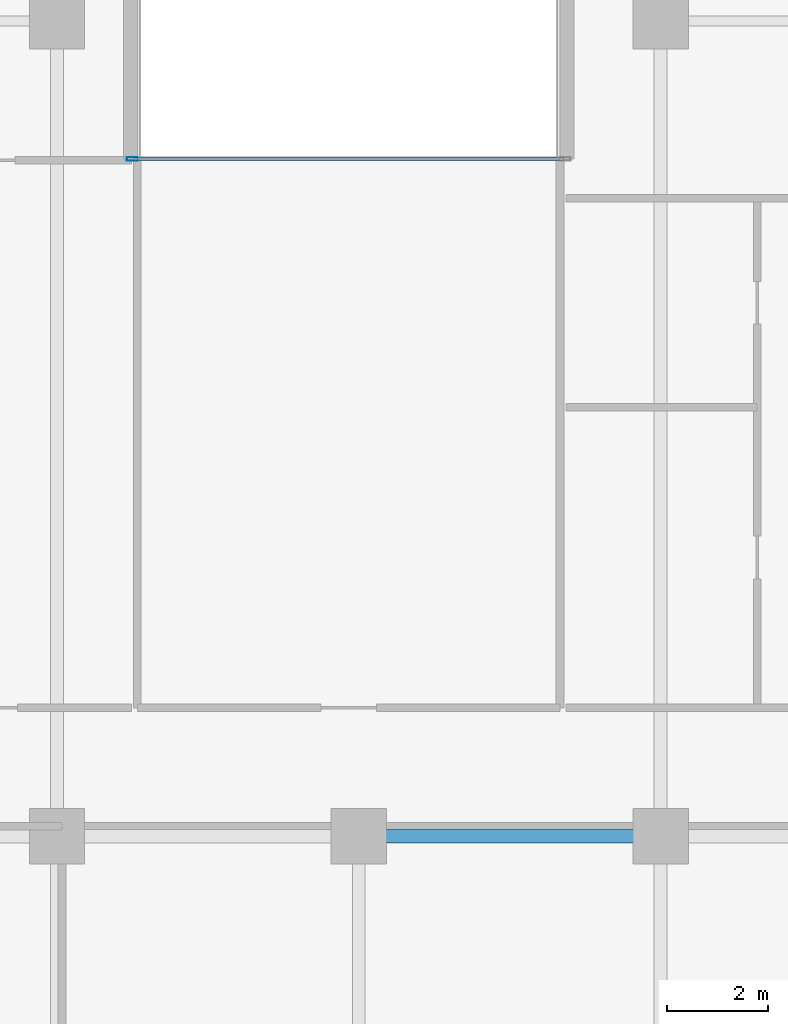
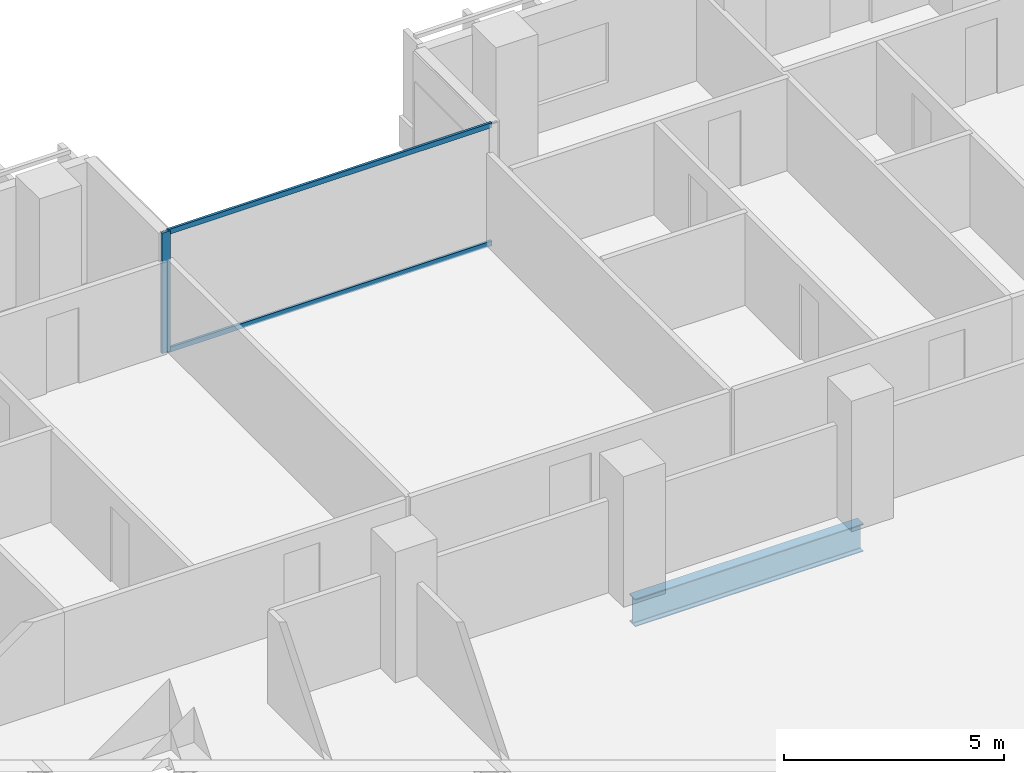
# One storey, part 6 of 25: 3 members, 1 beam, 1 element without a shape of its own.
"""IFC4 building model written with IfcOpenShell, lengths in metres."""

from ifc_helpers import new_model, si_unit, direction, frame, origin, origin_2d, place, context, subcontext, project, spatial, hollow_rectangle, i_section, extrude, material, layer, layer_set, material_profile, profile_set, type_object, element, aggregate, save


model = new_model("IFC4")

# Units and contexts
model_context = context("Model", 3, precision=1e-05, world=origin(), true_north=direction((0.0, 1.0)))
body_context = subcontext(model_context, "Body", "Model", "MODEL_VIEW")
ifc_project = project(units=[si_unit("LENGTHUNIT", "METRE"), si_unit("AREAUNIT", "SQUARE_METRE"), si_unit("VOLUMEUNIT", "CUBIC_METRE"), si_unit("PLANEANGLEUNIT", "RADIAN"), si_unit("MASSUNIT", "GRAM", prefix="KILO")], contexts=[model_context])

# Site, building, storey
site_placement = place(None, origin())
site = spatial("IfcSite", under=ifc_project, at=site_placement, CompositionType="ELEMENT")
building_placement = place(site_placement, origin())
building = spatial("IfcBuilding", under=site, at=building_placement, Name="Tanjung Sevakor Pilgrim Tower", CompositionType="ELEMENT")
storey_placement = place(building_placement, frame((0.0, 0.0, 69.6298828125)))
storey = spatial("IfcBuildingStorey", under=building, at=storey_placement, Name="L19", CompositionType="ELEMENT", Elevation=69.6298828125)

# Beam
ifc_material_1 = material(Name="Steel S355J2", Category="steel")
ifc_material_profile_1 = material_profile(ifc_material_1, i_section(OverallWidth=0.26806640625, OverallDepth=0.769775390625, WebThickness=0.015625, FlangeThickness=0.025390625, FilletRadius=0.0166015625, at=origin_2d()))
ifc_profile_set_1 = profile_set([ifc_material_profile_1], Name="Steel S355J2")
beam_type = type_object("IfcBeamType", Name="BM-B-G1-UB_762x267x197", PredefinedType="BEAM", material=ifc_profile_set_1)
beam_placement = place(storey_placement, frame((48.0, 42.60009765625, -0.604736328125), z_axis=(1.0, 0.0, 0.0), x_axis=(0.0, 1.0, 0.0)))
element("IfcBeam", 1, at=beam_placement, inside=storey, type_object=beam_type, Name="L19 Primary Floor Girder MAIN Y426-04", PredefinedType="BEAM", context=body_context, shape_type="SweptSolid", body=[
    extrude(i_section(OverallWidth=0.26806640625, OverallDepth=0.769775390625, WebThickness=0.015625, FlangeThickness=0.025390625, FilletRadius=0.0166015625, at=origin_2d()), origin(), (0.0, 0.0, 1.0), 6.0),
])

# Curtain wall, members
ifc_material_2 = material(Name="Aluminium 6063-T6 and Low-E Glass", Category="aluminium")
ifc_layer = layer(ifc_material_2, 0.179931640625)
ifc_layer_set = layer_set([ifc_layer], Name="CW-SYS-CLEFT")
curtain_wall_type = type_object("IfcCurtainWallType", Name="CW-SYS-CLEFT", PredefinedType="NOTDEFINED", material=ifc_layer_set)
curtain_wall_placement = place(storey_placement, origin())
curtain_wall = element("IfcCurtainWall", 2, at=curtain_wall_placement, inside=storey, type_object=curtain_wall_type, Name="L19 Curtain Wall CW-CLF-L19-10", PredefinedType="NOTDEFINED")
ifc_material_3 = material(Name="Aluminium 6063-T6", Category="aluminium")
ifc_material_profile_2 = material_profile(ifc_material_3, hollow_rectangle(XDim=0.074951171875, YDim=0.219970703125, WallThickness=0.0048828125, at=origin_2d()))
ifc_profile_set_2 = profile_set([ifc_material_profile_2], Name="Aluminium 6063-T6")
member_type_1 = type_object("IfcMemberType", Name="TYPE-CWM-2", PredefinedType="MULLION", material=ifc_profile_set_2)
member_1_placement = place(storey_placement, frame((43.49755859375, 56.06005859375, 0.0), z_axis=(0.0, 0.0, 1.0), x_axis=(0.0, -1.0, 0.0)))
member_1 = element("IfcMember", 3, at=member_1_placement, type_object=member_type_1, Name="CW-CLF mullion 2", PredefinedType="MULLION", context=body_context, shape_type="SweptSolid", body=[
    extrude(hollow_rectangle(XDim=0.074951171875, YDim=0.219970703125, WallThickness=0.0048828125, at=origin_2d()), origin(), (0.0, 0.0, 1.0), 3.35009765625),
])
ifc_material_4 = material(Name="Aluminium 6063-T6", Category="aluminium")
ifc_material_profile_3 = material_profile(ifc_material_4, hollow_rectangle(XDim=0.06494140625, YDim=0.139892578125, WallThickness=0.00390625, at=origin_2d()))
ifc_profile_set_3 = profile_set([ifc_material_profile_3], Name="Aluminium 6063-T6")
member_type_2 = type_object("IfcMemberType", Name="TYPE-CWT-1", PredefinedType="USERDEFINED", material=ifc_profile_set_3)
member_2_placement = place(storey_placement, frame((52.06494140625, 56.06005859375, 0.03271484375), z_axis=(-1.0, 0.0, 0.0), x_axis=(0.0, -1.0, 0.0)))
member_2 = element("IfcMember", 4, at=member_2_placement, type_object=member_type_2, Name="CW-CLF transom 1.1", ObjectType="TRANSOM", PredefinedType="USERDEFINED", context=body_context, shape_type="SweptSolid", body=[
    extrude(hollow_rectangle(XDim=0.06494140625, YDim=0.139892578125, WallThickness=0.00390625, at=origin_2d()), origin(), (0.0, 0.0, 1.0), 8.530029296875),
])
member_3_placement = place(storey_placement, frame((52.06494140625, 56.06005859375, 3.317626953125), z_axis=(-1.0, 0.0, 0.0), x_axis=(0.0, -1.0, 0.0)))
member_3 = element("IfcMember", 5, at=member_3_placement, type_object=member_type_2, Name="CW-CLF transom 1.2", ObjectType="TRANSOM", PredefinedType="USERDEFINED", context=body_context, shape_type="SweptSolid", body=[
    extrude(hollow_rectangle(XDim=0.06494140625, YDim=0.139892578125, WallThickness=0.00390625, at=origin_2d()), origin(), (0.0, 0.0, 1.0), 8.530029296875),
])
aggregate(curtain_wall, [member_1, member_2, member_3])

save(model, "model.ifc")
